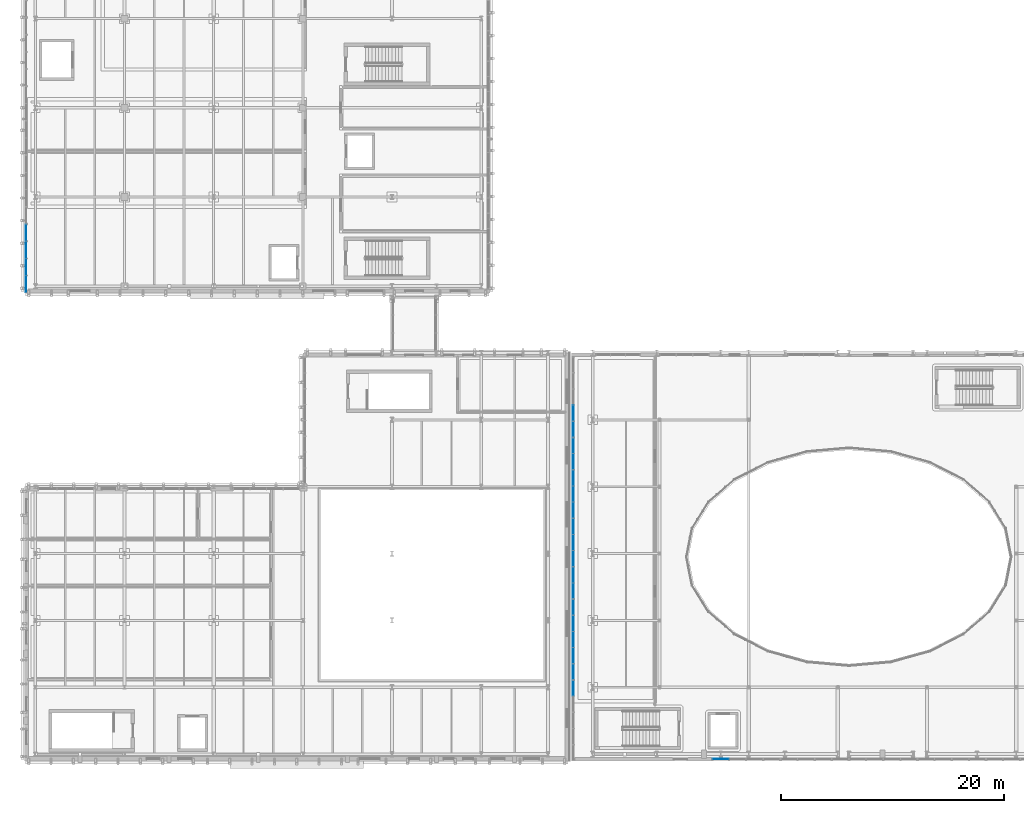
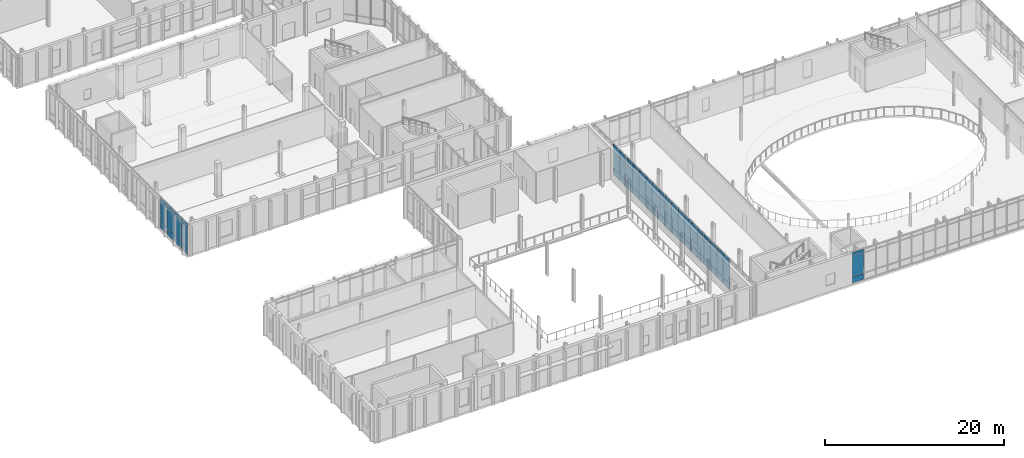
# One storey, part 50 of 100: 69 plates, 7 elements without a shape of their own.
"""IFC4 building model written with IfcOpenShell, lengths in metres."""

import ifcopenshell
import ifcopenshell.guid

model = None  # the IFC model being written
_history = None  # IfcOwnerHistory: only IFC2X3 demands one
_inside = {}  # id of a spatial element -> (the spatial element, [elements in it])
_under = {}  # id of a project, library or spatial element -> (it, [spatial elements below it])
_declared = {}  # id of a project -> (the project, [libraries it declares])
_typed = {}  # id of a type object -> (the type object, [elements of that type])
_made_of = {}  # id of a material, layer set ... -> (it, [elements and type objects made of it])


def new_model(schema):
    """Start an empty IFC model of exactly this schema.

    Asked for "IFC4X3", IfcOpenShell would pick the latest addendum, in which some entities
    have other attributes; the version numbers below select the first issue.
    IFC2X3 requires an IfcOwnerHistory on every rooted entity: one is made here for all.
    """
    global model, _history
    if schema == "IFC4X3":
        model = ifcopenshell.file(schema_version=(4, 3, 0, 0))
    else:
        model = ifcopenshell.file(schema=schema)
    _inside.clear()
    _under.clear()
    _declared.clear()
    _typed.clear()
    _made_of.clear()
    _history = None
    if model.schema == "IFC2X3":
        org = make("IfcOrganization", Name="unknown")
        user = make(
            "IfcPersonAndOrganization",
            ThePerson=make("IfcPerson", FamilyName="unknown"),
            TheOrganization=org,
        )
        app = make(
            "IfcApplication",
            ApplicationDeveloper=org,
            Version="unknown",
            ApplicationFullName="unknown",
            ApplicationIdentifier="unknown",
        )
        _history = make(
            "IfcOwnerHistory",
            OwningUser=user,
            OwningApplication=app,
            ChangeAction="ADDED",
            CreationDate=0,
        )
    return model


def make(cls, **values):
    """One entity of the class cls with the attributes given. An attribute that is None is left unset."""
    return model.create_entity(
        cls, **{name: value for name, value in values.items() if value is not None}
    )


def rooted(cls, **values):
    """An entity with a GlobalId (a new one), such as an element, a storey or a relation."""
    return make(cls, GlobalId=ifcopenshell.guid.new(), OwnerHistory=_history, **values)


def si_unit(unit_type, name, prefix=None):
    """IfcSIUnit, for example si_unit("LENGTHUNIT", "METRE", prefix="MILLI")."""
    return make("IfcSIUnit", UnitType=unit_type, Prefix=prefix, Name=name)


def assignment(units):
    """IfcUnitAssignment: the units of a project."""
    return None if units is None else make("IfcUnitAssignment", Units=units)


def point(xyz):
    """IfcCartesianPoint."""
    return None if xyz is None else make("IfcCartesianPoint", Coordinates=xyz)


def direction(xyz):
    """IfcDirection."""
    return None if xyz is None else make("IfcDirection", DirectionRatios=xyz)


def frame(location, z_axis=None, x_axis=None):
    """IfcAxis2Placement3D, a coordinate frame: its origin and axes. An axis left out is left unset."""
    return make(
        "IfcAxis2Placement3D",
        Location=point(location),
        Axis=direction(z_axis),
        RefDirection=direction(x_axis),
    )


def frame_2d(location, x_axis=None):
    """IfcAxis2Placement2D, a coordinate frame in the plane: its origin and x axis."""
    return make(
        "IfcAxis2Placement2D", Location=point(location), RefDirection=direction(x_axis)
    )


def origin():
    """The frame at (0, 0, 0) with its axes left unset."""
    return frame((0.0, 0.0, 0.0))


def origin_2d():
    """The frame at (0, 0) in the plane with its x axis left unset."""
    return frame_2d((0.0, 0.0))


def place(relative_to, where):
    """IfcLocalPlacement: puts the frame where relative to a parent placement (None: the world)."""
    return make(
        "IfcLocalPlacement", PlacementRelTo=relative_to, RelativePlacement=where
    )


def context(
    kind, dimensions, precision=None, world=None, true_north=None, identifier=None
):
    """IfcGeometricRepresentationContext, for example the 3D "Model" context."""
    return make(
        "IfcGeometricRepresentationContext",
        ContextIdentifier=identifier,
        ContextType=kind,
        CoordinateSpaceDimension=dimensions,
        Precision=precision,
        WorldCoordinateSystem=world,
        TrueNorth=true_north,
    )


def subcontext(parent, identifier, kind, view, scale=None):
    """IfcGeometricRepresentationSubContext, for example "Body" below "Model"."""
    return make(
        "IfcGeometricRepresentationSubContext",
        ContextIdentifier=identifier,
        ContextType=kind,
        ParentContext=parent,
        TargetScale=scale,
        TargetView=view,
    )


def project(units=None, contexts=None):
    """IfcProject with its units and contexts."""
    return rooted(
        "IfcProject",
        Name="project",
        RepresentationContexts=contexts,
        UnitsInContext=assignment(units),
    )


def spatial(cls, under=None, at=None, **own):
    """A site, building, storey or space (cls), placed at a placement, below another one or the project."""
    s = rooted(cls, ObjectPlacement=at, **own)
    if under is not None:
        _under.setdefault(under.id(), (under, []))[1].append(s)
    return s


def profile(cls, at=None, kind="AREA", **sizes):
    """A parametric profile (cls). Its sizes go by their IFC names, for example OverallWidth=200.0."""
    return make(cls, ProfileType=kind, Position=at, **sizes)


def rectangle(**sizes):
    """IfcRectangleProfileDef."""
    return profile("IfcRectangleProfileDef", **sizes)


def extrude(swept, where, along, depth):
    """IfcExtrudedAreaSolid: the profile swept, set in the frame where, extruded along a direction by depth."""
    return make(
        "IfcExtrudedAreaSolid",
        SweptArea=swept,
        Position=where,
        ExtrudedDirection=direction(along),
        Depth=depth,
    )


def shape(context_of_items, identifier, shape_type, items):
    """IfcShapeRepresentation: the items that make up one representation, for example the "Body"."""
    return make(
        "IfcShapeRepresentation",
        ContextOfItems=context_of_items,
        RepresentationIdentifier=identifier,
        RepresentationType=shape_type,
        Items=items,
    )


def material(Name=None, Category=None):
    """IfcMaterial."""
    return make("IfcMaterial", Name=Name, Category=Category)


def layer(
    of_material, thickness, ventilated=None, Name=None, Category=None, Priority=None
):
    """IfcMaterialLayer: one layer of a wall or slab, of a material (None: an air gap)."""
    return make(
        "IfcMaterialLayer",
        Material=of_material,
        LayerThickness=thickness,
        IsVentilated=ventilated,
        Name=Name,
        Category=Category,
        Priority=Priority,
    )


def layer_set(layers, Name=None):
    """IfcMaterialLayerSet."""
    return make("IfcMaterialLayerSet", MaterialLayers=layers, LayerSetName=Name)


def made_of(thing, what):
    """Note that an element or type object is made of a material, layer set ...; save() writes the relation."""
    if what is not None:
        _made_of.setdefault(what.id(), (what, []))[1].append(thing)
    return thing


def type_object(cls, material=None, **own):
    """A type object (cls), such as IfcWallType, which elements share."""
    return made_of(rooted(cls, **own), material)


def element(
    cls,
    number,
    at=None,
    inside=None,
    cuts=None,
    type_object=None,
    material=None,
    context=None,
    identifier="Body",
    shape_type=None,
    held_by="IfcProductDefinitionShape",
    body=None,
    shapes=None,
    **own,
):
    """One element of the class cls, such as IfcWall. Its Tag is "e" and its number.

    at: its placement. inside: the storey or other place that contains it. cuts: it is an
    opening in that element (IfcRelVoidsElement). A single representation is given by context,
    identifier, shape_type and body (its items); several are given by shapes. held_by: the class
    of the entity that holds the representations. save() writes the other relations.
    """
    e = rooted(cls, Tag="e%d" % number, ObjectPlacement=at, **own)
    if body is not None:
        shapes = [shape(context, identifier, shape_type, body)]
    if shapes is not None:
        e.Representation = make(held_by, Representations=shapes)
    if inside is not None:
        _inside.setdefault(inside.id(), (inside, []))[1].append(e)
    if cuts is not None:
        rooted(
            "IfcRelVoidsElement", RelatingBuildingElement=cuts, RelatedOpeningElement=e
        )
    if type_object is not None:
        _typed.setdefault(type_object.id(), (type_object, []))[1].append(e)
    return made_of(e, material)


def aggregate(whole, parts):
    """IfcRelAggregates: a whole, such as a stair, and the parts it consists of."""
    return rooted("IfcRelAggregates", RelatingObject=whole, RelatedObjects=parts)


def save(model, path):
    """Write the relations noted so far, then the file.

    IfcRelAggregates (storeys below a building ...), IfcRelContainedInSpatialStructure (elements
    in a storey), IfcRelDefinesByType, IfcRelAssociatesMaterial and IfcRelDeclares: one each for
    every whole, place, type object, material and project.
    """
    for whole, parts in _under.values():
        aggregate(whole, parts)
    for where, things in _inside.values():
        rooted(
            "IfcRelContainedInSpatialStructure",
            RelatedElements=things,
            RelatingStructure=where,
        )
    for kind, things in _typed.values():
        rooted("IfcRelDefinesByType", RelatedObjects=things, RelatingType=kind)
    for what, things in _made_of.values():
        rooted("IfcRelAssociatesMaterial", RelatedObjects=things, RelatingMaterial=what)
    for by, libraries in _declared.values():
        rooted("IfcRelDeclares", RelatingContext=by, RelatedDefinitions=libraries)
    model.write(path)


model = new_model("IFC4")

# Units and contexts
model_context = context("Model", 3, precision=1e-05, world=origin(), true_north=direction((0.0, 1.0)))
body_context = subcontext(model_context, "Body", "Model", "MODEL_VIEW")
ifc_project = project(units=[si_unit("LENGTHUNIT", "METRE"), si_unit("AREAUNIT", "SQUARE_METRE"), si_unit("VOLUMEUNIT", "CUBIC_METRE"), si_unit("PLANEANGLEUNIT", "RADIAN"), si_unit("MASSUNIT", "GRAM", prefix="KILO")], contexts=[model_context])

# Site, building, storey
site_placement = place(None, origin())
site = spatial("IfcSite", under=ifc_project, at=site_placement, CompositionType="ELEMENT")
building_placement = place(site_placement, origin())
building = spatial("IfcBuilding", under=site, at=building_placement, Name="Cymarion Research Institute", CompositionType="ELEMENT")
storey_placement = place(building_placement, frame((0.0, 0.0, 9.300048828125)))
storey = spatial("IfcBuildingStorey", under=building, at=storey_placement, Name="L02", CompositionType="ELEMENT", Elevation=9.300048828125)

# Curtain wall, plates
ifc_material_1 = material(Name="Anodised aluminium unitised curtain wall with Low-E glazing", Category="aluminium")
curtain_wall_type_1 = type_object("IfcCurtainWallType", Name="UNITISED CURTAIN WALL CW07 6150X4250", PredefinedType="NOTDEFINED", material=ifc_material_1)
curtain_wall_1_placement = place(storey_placement, origin())
curtain_wall_1 = element("IfcCurtainWall", 1, at=curtain_wall_1_placement, inside=storey, type_object=curtain_wall_type_1, Name="L02 V2 unitised curtain wall CW07 #72", PredefinedType="NOTDEFINED")
ifc_material_2 = material(Name="Insulated anodised aluminium spandrel panel", Category="aluminium")
ifc_layer_1 = layer(ifc_material_2, 0.06005859375)
ifc_layer_set_1 = layer_set([ifc_layer_1], Name="Insulated anodised aluminium spandrel panel")
plate_type_1 = type_object("IfcPlateType", Name="INSULATED ALUMINIUM SPANDREL PANEL SP01 60MM", PredefinedType="SHEET", material=ifc_layer_set_1)
plate_1_placement = place(storey_placement, frame((68.084716796875, 5.06005859375, 0.059814453125), z_axis=(0.0, 0.0, 1.0), x_axis=(1.0, 0.0, 0.0)))
plate_1 = element("IfcPlate", 2, at=plate_1_placement, type_object=plate_type_1, Name="CW07 panel 1.1", PredefinedType="SHEET", context=body_context, shape_type="SweptSolid", body=[
    extrude(rectangle(XDim=1.447265625, YDim=0.06005859375, at=origin_2d()), origin(), (0.0, 0.0, 1.0), 0.81005859375),
])
plate_2_placement = place(storey_placement, frame((68.084716796875, 5.06005859375, 3.72998046875), z_axis=(0.0, 0.0, 1.0), x_axis=(1.0, 0.0, 0.0)))
plate_2 = element("IfcPlate", 3, at=plate_2_placement, type_object=plate_type_1, Name="CW07 panel 1.3", PredefinedType="SHEET", context=body_context, shape_type="SweptSolid", body=[
    extrude(rectangle(XDim=1.447265625, YDim=0.06005859375, at=origin_2d()), origin(), (0.0, 0.0, 1.0), 0.4599609375),
])

curtain_wall_type_2 = type_object("IfcCurtainWallType", Name="UNITISED CURTAIN WALL CW14 7260X4250", PredefinedType="NOTDEFINED", material=ifc_material_1)
curtain_wall_2_placement = place(storey_placement, origin())
curtain_wall_2 = element("IfcCurtainWall", 4, at=curtain_wall_2_placement, inside=storey, type_object=curtain_wall_type_2, Name="L02 V2 unitised curtain wall CW14 #88", PredefinedType="NOTDEFINED")
plate_3_placement = place(storey_placement, frame((54.860107421875, 36.100830078125, 0.059814453125), z_axis=(0.0, 0.0, 1.0), x_axis=(0.0, -1.0, 0.0)))
plate_3 = element("IfcPlate", 5, at=plate_3_placement, type_object=plate_type_1, Name="CW14 panel 4.1", PredefinedType="SHEET", context=body_context, shape_type="SweptSolid", body=[
    extrude(rectangle(XDim=1.39111328125, YDim=0.06005859375, at=origin_2d()), origin(), (0.0, 0.0, 1.0), 0.81005859375),
])
plate_4_placement = place(storey_placement, frame((54.860107421875, 36.100830078125, 3.72998046875), z_axis=(0.0, 0.0, 1.0), x_axis=(0.0, -1.0, 0.0)))
plate_4 = element("IfcPlate", 6, at=plate_4_placement, type_object=plate_type_1, Name="CW14 panel 4.3", PredefinedType="SHEET", context=body_context, shape_type="SweptSolid", body=[
    extrude(rectangle(XDim=1.39111328125, YDim=0.06005859375, at=origin_2d()), origin(), (0.0, 0.0, 1.0), 0.4599609375),
])
plate_5_placement = place(storey_placement, frame((54.860107421875, 34.66455078125, 0.059814453125), z_axis=(0.0, 0.0, 1.0), x_axis=(0.0, -1.0, 0.0)))
plate_5 = element("IfcPlate", 7, at=plate_5_placement, type_object=plate_type_1, Name="CW14 panel 5.1", PredefinedType="SHEET", context=body_context, shape_type="SweptSolid", body=[
    extrude(rectangle(XDim=1.361083984375, YDim=0.06005859375, at=origin_2d()), origin(), (0.0, 0.0, 1.0), 0.81005859375),
])
plate_6_placement = place(storey_placement, frame((54.860107421875, 34.66455078125, 3.72998046875), z_axis=(0.0, 0.0, 1.0), x_axis=(0.0, -1.0, 0.0)))
plate_6 = element("IfcPlate", 8, at=plate_6_placement, type_object=plate_type_1, Name="CW14 panel 5.3", PredefinedType="SHEET", context=body_context, shape_type="SweptSolid", body=[
    extrude(rectangle(XDim=1.361083984375, YDim=0.06005859375, at=origin_2d()), origin(), (0.0, 0.0, 1.0), 0.4599609375),
])

curtain_wall_3_placement = place(storey_placement, origin())
curtain_wall_3 = element("IfcCurtainWall", 9, at=curtain_wall_3_placement, inside=storey, type_object=curtain_wall_type_2, Name="L02 V2 unitised curtain wall CW14 #89", PredefinedType="NOTDEFINED")
plate_7_placement = place(storey_placement, frame((54.860107421875, 33.183349609375, 0.059814453125), z_axis=(0.0, 0.0, 1.0), x_axis=(0.0, -1.0, 0.0)))
plate_7 = element("IfcPlate", 10, at=plate_7_placement, type_object=plate_type_1, Name="CW14 panel 1.1", PredefinedType="SHEET", context=body_context, shape_type="SweptSolid", body=[
    extrude(rectangle(XDim=1.361083984375, YDim=0.06005859375, at=origin_2d()), origin(), (0.0, 0.0, 1.0), 0.81005859375),
])
plate_8_placement = place(storey_placement, frame((54.860107421875, 33.183349609375, 3.72998046875), z_axis=(0.0, 0.0, 1.0), x_axis=(0.0, -1.0, 0.0)))
plate_8 = element("IfcPlate", 11, at=plate_8_placement, type_object=plate_type_1, Name="CW14 panel 1.3", PredefinedType="SHEET", context=body_context, shape_type="SweptSolid", body=[
    extrude(rectangle(XDim=1.361083984375, YDim=0.06005859375, at=origin_2d()), origin(), (0.0, 0.0, 1.0), 0.4599609375),
])
plate_9_placement = place(storey_placement, frame((54.860107421875, 31.747314453125, 0.059814453125), z_axis=(0.0, 0.0, 1.0), x_axis=(0.0, -1.0, 0.0)))
plate_9 = element("IfcPlate", 12, at=plate_9_placement, type_object=plate_type_1, Name="CW14 panel 2.1", PredefinedType="SHEET", context=body_context, shape_type="SweptSolid", body=[
    extrude(rectangle(XDim=1.39111328125, YDim=0.06005859375, at=origin_2d()), origin(), (0.0, 0.0, 1.0), 0.81005859375),
])
plate_10_placement = place(storey_placement, frame((54.860107421875, 31.747314453125, 3.72998046875), z_axis=(0.0, 0.0, 1.0), x_axis=(0.0, -1.0, 0.0)))
plate_10 = element("IfcPlate", 13, at=plate_10_placement, type_object=plate_type_1, Name="CW14 panel 2.3", PredefinedType="SHEET", context=body_context, shape_type="SweptSolid", body=[
    extrude(rectangle(XDim=1.39111328125, YDim=0.06005859375, at=origin_2d()), origin(), (0.0, 0.0, 1.0), 0.4599609375),
])
plate_11_placement = place(storey_placement, frame((54.860107421875, 30.2958984375, 0.059814453125), z_axis=(0.0, 0.0, 1.0), x_axis=(0.0, -1.0, 0.0)))
plate_11 = element("IfcPlate", 14, at=plate_11_placement, type_object=plate_type_1, Name="CW14 panel 3.1", PredefinedType="SHEET", context=body_context, shape_type="SweptSolid", body=[
    extrude(rectangle(XDim=1.39111328125, YDim=0.06005859375, at=origin_2d()), origin(), (0.0, 0.0, 1.0), 0.81005859375),
])
plate_12_placement = place(storey_placement, frame((54.860107421875, 30.2958984375, 3.72998046875), z_axis=(0.0, 0.0, 1.0), x_axis=(0.0, -1.0, 0.0)))
plate_12 = element("IfcPlate", 15, at=plate_12_placement, type_object=plate_type_1, Name="CW14 panel 3.3", PredefinedType="SHEET", context=body_context, shape_type="SweptSolid", body=[
    extrude(rectangle(XDim=1.39111328125, YDim=0.06005859375, at=origin_2d()), origin(), (0.0, 0.0, 1.0), 0.4599609375),
])
plate_13_placement = place(storey_placement, frame((54.860107421875, 28.8447265625, 0.059814453125), z_axis=(0.0, 0.0, 1.0), x_axis=(0.0, -1.0, 0.0)))
plate_13 = element("IfcPlate", 16, at=plate_13_placement, type_object=plate_type_1, Name="CW14 panel 4.1", PredefinedType="SHEET", context=body_context, shape_type="SweptSolid", body=[
    extrude(rectangle(XDim=1.39111328125, YDim=0.06005859375, at=origin_2d()), origin(), (0.0, 0.0, 1.0), 0.81005859375),
])
plate_14_placement = place(storey_placement, frame((54.860107421875, 28.8447265625, 3.72998046875), z_axis=(0.0, 0.0, 1.0), x_axis=(0.0, -1.0, 0.0)))
plate_14 = element("IfcPlate", 17, at=plate_14_placement, type_object=plate_type_1, Name="CW14 panel 4.3", PredefinedType="SHEET", context=body_context, shape_type="SweptSolid", body=[
    extrude(rectangle(XDim=1.39111328125, YDim=0.06005859375, at=origin_2d()), origin(), (0.0, 0.0, 1.0), 0.4599609375),
])
plate_15_placement = place(storey_placement, frame((54.860107421875, 27.40869140625, 0.059814453125), z_axis=(0.0, 0.0, 1.0), x_axis=(0.0, -1.0, 0.0)))
plate_15 = element("IfcPlate", 18, at=plate_15_placement, type_object=plate_type_1, Name="CW14 panel 5.1", PredefinedType="SHEET", context=body_context, shape_type="SweptSolid", body=[
    extrude(rectangle(XDim=1.361083984375, YDim=0.06005859375, at=origin_2d()), origin(), (0.0, 0.0, 1.0), 0.81005859375),
])
plate_16_placement = place(storey_placement, frame((54.860107421875, 27.40869140625, 3.72998046875), z_axis=(0.0, 0.0, 1.0), x_axis=(0.0, -1.0, 0.0)))
plate_16 = element("IfcPlate", 19, at=plate_16_placement, type_object=plate_type_1, Name="CW14 panel 5.3", PredefinedType="SHEET", context=body_context, shape_type="SweptSolid", body=[
    extrude(rectangle(XDim=1.361083984375, YDim=0.06005859375, at=origin_2d()), origin(), (0.0, 0.0, 1.0), 0.4599609375),
])

curtain_wall_4_placement = place(storey_placement, origin())
curtain_wall_4 = element("IfcCurtainWall", 20, at=curtain_wall_4_placement, inside=storey, type_object=curtain_wall_type_2, Name="L02 V2 unitised curtain wall CW14 #90", PredefinedType="NOTDEFINED")
plate_17_placement = place(storey_placement, frame((54.860107421875, 25.927490234375, 0.059814453125), z_axis=(0.0, 0.0, 1.0), x_axis=(0.0, -1.0, 0.0)))
plate_17 = element("IfcPlate", 21, at=plate_17_placement, type_object=plate_type_1, Name="CW14 panel 1.1", PredefinedType="SHEET", context=body_context, shape_type="SweptSolid", body=[
    extrude(rectangle(XDim=1.361083984375, YDim=0.06005859375, at=origin_2d()), origin(), (0.0, 0.0, 1.0), 0.81005859375),
])
plate_18_placement = place(storey_placement, frame((54.860107421875, 25.927490234375, 3.72998046875), z_axis=(0.0, 0.0, 1.0), x_axis=(0.0, -1.0, 0.0)))
plate_18 = element("IfcPlate", 22, at=plate_18_placement, type_object=plate_type_1, Name="CW14 panel 1.3", PredefinedType="SHEET", context=body_context, shape_type="SweptSolid", body=[
    extrude(rectangle(XDim=1.361083984375, YDim=0.06005859375, at=origin_2d()), origin(), (0.0, 0.0, 1.0), 0.4599609375),
])
plate_19_placement = place(storey_placement, frame((54.860107421875, 24.4912109375, 0.059814453125), z_axis=(0.0, 0.0, 1.0), x_axis=(0.0, -1.0, 0.0)))
plate_19 = element("IfcPlate", 23, at=plate_19_placement, type_object=plate_type_1, Name="CW14 panel 2.1", PredefinedType="SHEET", context=body_context, shape_type="SweptSolid", body=[
    extrude(rectangle(XDim=1.39111328125, YDim=0.06005859375, at=origin_2d()), origin(), (0.0, 0.0, 1.0), 0.81005859375),
])
plate_20_placement = place(storey_placement, frame((54.860107421875, 24.4912109375, 3.72998046875), z_axis=(0.0, 0.0, 1.0), x_axis=(0.0, -1.0, 0.0)))
plate_20 = element("IfcPlate", 24, at=plate_20_placement, type_object=plate_type_1, Name="CW14 panel 2.3", PredefinedType="SHEET", context=body_context, shape_type="SweptSolid", body=[
    extrude(rectangle(XDim=1.39111328125, YDim=0.06005859375, at=origin_2d()), origin(), (0.0, 0.0, 1.0), 0.4599609375),
])
plate_21_placement = place(storey_placement, frame((54.860107421875, 23.0400390625, 0.059814453125), z_axis=(0.0, 0.0, 1.0), x_axis=(0.0, -1.0, 0.0)))
plate_21 = element("IfcPlate", 25, at=plate_21_placement, type_object=plate_type_1, Name="CW14 panel 3.1", PredefinedType="SHEET", context=body_context, shape_type="SweptSolid", body=[
    extrude(rectangle(XDim=1.39111328125, YDim=0.06005859375, at=origin_2d()), origin(), (0.0, 0.0, 1.0), 0.81005859375),
])
plate_22_placement = place(storey_placement, frame((54.860107421875, 23.0400390625, 3.72998046875), z_axis=(0.0, 0.0, 1.0), x_axis=(0.0, -1.0, 0.0)))
plate_22 = element("IfcPlate", 26, at=plate_22_placement, type_object=plate_type_1, Name="CW14 panel 3.3", PredefinedType="SHEET", context=body_context, shape_type="SweptSolid", body=[
    extrude(rectangle(XDim=1.39111328125, YDim=0.06005859375, at=origin_2d()), origin(), (0.0, 0.0, 1.0), 0.4599609375),
])
plate_23_placement = place(storey_placement, frame((54.860107421875, 21.5888671875, 0.059814453125), z_axis=(0.0, 0.0, 1.0), x_axis=(0.0, -1.0, 0.0)))
plate_23 = element("IfcPlate", 27, at=plate_23_placement, type_object=plate_type_1, Name="CW14 panel 4.1", PredefinedType="SHEET", context=body_context, shape_type="SweptSolid", body=[
    extrude(rectangle(XDim=1.39111328125, YDim=0.06005859375, at=origin_2d()), origin(), (0.0, 0.0, 1.0), 0.81005859375),
])
plate_24_placement = place(storey_placement, frame((54.860107421875, 21.5888671875, 3.72998046875), z_axis=(0.0, 0.0, 1.0), x_axis=(0.0, -1.0, 0.0)))
plate_24 = element("IfcPlate", 28, at=plate_24_placement, type_object=plate_type_1, Name="CW14 panel 4.3", PredefinedType="SHEET", context=body_context, shape_type="SweptSolid", body=[
    extrude(rectangle(XDim=1.39111328125, YDim=0.06005859375, at=origin_2d()), origin(), (0.0, 0.0, 1.0), 0.4599609375),
])
plate_25_placement = place(storey_placement, frame((54.860107421875, 20.152587890625, 0.059814453125), z_axis=(0.0, 0.0, 1.0), x_axis=(0.0, -1.0, 0.0)))
plate_25 = element("IfcPlate", 29, at=plate_25_placement, type_object=plate_type_1, Name="CW14 panel 5.1", PredefinedType="SHEET", context=body_context, shape_type="SweptSolid", body=[
    extrude(rectangle(XDim=1.361083984375, YDim=0.06005859375, at=origin_2d()), origin(), (0.0, 0.0, 1.0), 0.81005859375),
])
plate_26_placement = place(storey_placement, frame((54.860107421875, 20.152587890625, 3.72998046875), z_axis=(0.0, 0.0, 1.0), x_axis=(0.0, -1.0, 0.0)))
plate_26 = element("IfcPlate", 30, at=plate_26_placement, type_object=plate_type_1, Name="CW14 panel 5.3", PredefinedType="SHEET", context=body_context, shape_type="SweptSolid", body=[
    extrude(rectangle(XDim=1.361083984375, YDim=0.06005859375, at=origin_2d()), origin(), (0.0, 0.0, 1.0), 0.4599609375),
])

curtain_wall_5_placement = place(storey_placement, origin())
curtain_wall_5 = element("IfcCurtainWall", 31, at=curtain_wall_5_placement, inside=storey, type_object=curtain_wall_type_2, Name="L02 V2 unitised curtain wall CW14 #91", PredefinedType="NOTDEFINED")
plate_27_placement = place(storey_placement, frame((54.860107421875, 18.67138671875, 0.059814453125), z_axis=(0.0, 0.0, 1.0), x_axis=(0.0, -1.0, 0.0)))
plate_27 = element("IfcPlate", 32, at=plate_27_placement, type_object=plate_type_1, Name="CW14 panel 1.1", PredefinedType="SHEET", context=body_context, shape_type="SweptSolid", body=[
    extrude(rectangle(XDim=1.361083984375, YDim=0.06005859375, at=origin_2d()), origin(), (0.0, 0.0, 1.0), 0.81005859375),
])
plate_28_placement = place(storey_placement, frame((54.860107421875, 18.67138671875, 3.72998046875), z_axis=(0.0, 0.0, 1.0), x_axis=(0.0, -1.0, 0.0)))
plate_28 = element("IfcPlate", 33, at=plate_28_placement, type_object=plate_type_1, Name="CW14 panel 1.3", PredefinedType="SHEET", context=body_context, shape_type="SweptSolid", body=[
    extrude(rectangle(XDim=1.361083984375, YDim=0.06005859375, at=origin_2d()), origin(), (0.0, 0.0, 1.0), 0.4599609375),
])
plate_29_placement = place(storey_placement, frame((54.860107421875, 17.235107421875, 0.059814453125), z_axis=(0.0, 0.0, 1.0), x_axis=(0.0, -1.0, 0.0)))
plate_29 = element("IfcPlate", 34, at=plate_29_placement, type_object=plate_type_1, Name="CW14 panel 2.1", PredefinedType="SHEET", context=body_context, shape_type="SweptSolid", body=[
    extrude(rectangle(XDim=1.39111328125, YDim=0.06005859375, at=origin_2d()), origin(), (0.0, 0.0, 1.0), 0.81005859375),
])
plate_30_placement = place(storey_placement, frame((54.860107421875, 17.235107421875, 3.72998046875), z_axis=(0.0, 0.0, 1.0), x_axis=(0.0, -1.0, 0.0)))
plate_30 = element("IfcPlate", 35, at=plate_30_placement, type_object=plate_type_1, Name="CW14 panel 2.3", PredefinedType="SHEET", context=body_context, shape_type="SweptSolid", body=[
    extrude(rectangle(XDim=1.39111328125, YDim=0.06005859375, at=origin_2d()), origin(), (0.0, 0.0, 1.0), 0.4599609375),
])
plate_31_placement = place(storey_placement, frame((54.860107421875, 15.783935546875, 0.059814453125), z_axis=(0.0, 0.0, 1.0), x_axis=(0.0, -1.0, 0.0)))
plate_31 = element("IfcPlate", 36, at=plate_31_placement, type_object=plate_type_1, Name="CW14 panel 3.1", PredefinedType="SHEET", context=body_context, shape_type="SweptSolid", body=[
    extrude(rectangle(XDim=1.39111328125, YDim=0.06005859375, at=origin_2d()), origin(), (0.0, 0.0, 1.0), 0.81005859375),
])
plate_32_placement = place(storey_placement, frame((54.860107421875, 15.783935546875, 3.72998046875), z_axis=(0.0, 0.0, 1.0), x_axis=(0.0, -1.0, 0.0)))
plate_32 = element("IfcPlate", 37, at=plate_32_placement, type_object=plate_type_1, Name="CW14 panel 3.3", PredefinedType="SHEET", context=body_context, shape_type="SweptSolid", body=[
    extrude(rectangle(XDim=1.39111328125, YDim=0.06005859375, at=origin_2d()), origin(), (0.0, 0.0, 1.0), 0.4599609375),
])
plate_33_placement = place(storey_placement, frame((54.860107421875, 14.332763671875, 0.059814453125), z_axis=(0.0, 0.0, 1.0), x_axis=(0.0, -1.0, 0.0)))
plate_33 = element("IfcPlate", 38, at=plate_33_placement, type_object=plate_type_1, Name="CW14 panel 4.1", PredefinedType="SHEET", context=body_context, shape_type="SweptSolid", body=[
    extrude(rectangle(XDim=1.39111328125, YDim=0.06005859375, at=origin_2d()), origin(), (0.0, 0.0, 1.0), 0.81005859375),
])
plate_34_placement = place(storey_placement, frame((54.860107421875, 14.332763671875, 3.72998046875), z_axis=(0.0, 0.0, 1.0), x_axis=(0.0, -1.0, 0.0)))
plate_34 = element("IfcPlate", 39, at=plate_34_placement, type_object=plate_type_1, Name="CW14 panel 4.3", PredefinedType="SHEET", context=body_context, shape_type="SweptSolid", body=[
    extrude(rectangle(XDim=1.39111328125, YDim=0.06005859375, at=origin_2d()), origin(), (0.0, 0.0, 1.0), 0.4599609375),
])
plate_35_placement = place(storey_placement, frame((54.860107421875, 12.896484375, 0.059814453125), z_axis=(0.0, 0.0, 1.0), x_axis=(0.0, -1.0, 0.0)))
plate_35 = element("IfcPlate", 40, at=plate_35_placement, type_object=plate_type_1, Name="CW14 panel 5.1", PredefinedType="SHEET", context=body_context, shape_type="SweptSolid", body=[
    extrude(rectangle(XDim=1.361083984375, YDim=0.06005859375, at=origin_2d()), origin(), (0.0, 0.0, 1.0), 0.81005859375),
])
plate_36_placement = place(storey_placement, frame((54.860107421875, 12.896484375, 3.72998046875), z_axis=(0.0, 0.0, 1.0), x_axis=(0.0, -1.0, 0.0)))
plate_36 = element("IfcPlate", 41, at=plate_36_placement, type_object=plate_type_1, Name="CW14 panel 5.3", PredefinedType="SHEET", context=body_context, shape_type="SweptSolid", body=[
    extrude(rectangle(XDim=1.361083984375, YDim=0.06005859375, at=origin_2d()), origin(), (0.0, 0.0, 1.0), 0.4599609375),
])

curtain_wall_6_placement = place(storey_placement, origin())
curtain_wall_6 = element("IfcCurtainWall", 42, at=curtain_wall_6_placement, inside=storey, type_object=curtain_wall_type_2, Name="L02 V2 unitised curtain wall CW14 #92", PredefinedType="NOTDEFINED")
plate_37_placement = place(storey_placement, frame((54.860107421875, 11.415283203125, 0.059814453125), z_axis=(0.0, 0.0, 1.0), x_axis=(0.0, -1.0, 0.0)))
plate_37 = element("IfcPlate", 43, at=plate_37_placement, type_object=plate_type_1, Name="CW14 panel 1.1", PredefinedType="SHEET", context=body_context, shape_type="SweptSolid", body=[
    extrude(rectangle(XDim=1.361083984375, YDim=0.06005859375, at=origin_2d()), origin(), (0.0, 0.0, 1.0), 0.81005859375),
])
plate_38_placement = place(storey_placement, frame((54.860107421875, 11.415283203125, 3.72998046875), z_axis=(0.0, 0.0, 1.0), x_axis=(0.0, -1.0, 0.0)))
plate_38 = element("IfcPlate", 44, at=plate_38_placement, type_object=plate_type_1, Name="CW14 panel 1.3", PredefinedType="SHEET", context=body_context, shape_type="SweptSolid", body=[
    extrude(rectangle(XDim=1.361083984375, YDim=0.06005859375, at=origin_2d()), origin(), (0.0, 0.0, 1.0), 0.4599609375),
])

curtain_wall_type_3 = type_object("IfcCurtainWallType", Name="UNITISED CURTAIN WALL CW22 6180X4250", PredefinedType="NOTDEFINED", material=ifc_material_1)
curtain_wall_7_placement = place(storey_placement, origin())
curtain_wall_7 = element("IfcCurtainWall", 45, at=curtain_wall_7_placement, inside=storey, type_object=curtain_wall_type_3, Name="L02 V4 unitised curtain wall CW22 #107", PredefinedType="NOTDEFINED")
plate_39_placement = place(storey_placement, frame((5.77001953125, 52.28857421875, 0.059814453125), z_axis=(0.0, 0.0, 1.0), x_axis=(0.0, -1.0, 0.0)))
plate_39 = element("IfcPlate", 46, at=plate_39_placement, type_object=plate_type_1, Name="CW22 panel 1.1", PredefinedType="SHEET", context=body_context, shape_type="SweptSolid", body=[
    extrude(rectangle(XDim=1.453857421875, YDim=0.06005859375, at=origin_2d()), origin(), (0.0, 0.0, 1.0), 0.81005859375),
])
plate_40_placement = place(storey_placement, frame((5.77001953125, 52.28857421875, 3.72998046875), z_axis=(0.0, 0.0, 1.0), x_axis=(0.0, -1.0, 0.0)))
plate_40 = element("IfcPlate", 47, at=plate_40_placement, type_object=plate_type_1, Name="CW22 panel 1.3", PredefinedType="SHEET", context=body_context, shape_type="SweptSolid", body=[
    extrude(rectangle(XDim=1.453857421875, YDim=0.06005859375, at=origin_2d()), origin(), (0.0, 0.0, 1.0), 0.4599609375),
])
plate_41_placement = place(storey_placement, frame((5.77001953125, 50.759765625, 0.059814453125), z_axis=(0.0, 0.0, 1.0), x_axis=(0.0, -1.0, 0.0)))
plate_41 = element("IfcPlate", 48, at=plate_41_placement, type_object=plate_type_1, Name="CW22 panel 2.1", PredefinedType="SHEET", context=body_context, shape_type="SweptSolid", body=[
    extrude(rectangle(XDim=1.48388671875, YDim=0.06005859375, at=origin_2d()), origin(), (0.0, 0.0, 1.0), 0.81005859375),
])
plate_42_placement = place(storey_placement, frame((5.77001953125, 50.759765625, 3.72998046875), z_axis=(0.0, 0.0, 1.0), x_axis=(0.0, -1.0, 0.0)))
plate_42 = element("IfcPlate", 49, at=plate_42_placement, type_object=plate_type_1, Name="CW22 panel 2.3", PredefinedType="SHEET", context=body_context, shape_type="SweptSolid", body=[
    extrude(rectangle(XDim=1.48388671875, YDim=0.06005859375, at=origin_2d()), origin(), (0.0, 0.0, 1.0), 0.4599609375),
])
plate_43_placement = place(storey_placement, frame((5.77001953125, 49.2158203125, 0.059814453125), z_axis=(0.0, 0.0, 1.0), x_axis=(0.0, -1.0, 0.0)))
plate_43 = element("IfcPlate", 50, at=plate_43_placement, type_object=plate_type_1, Name="CW22 panel 3.1", PredefinedType="SHEET", context=body_context, shape_type="SweptSolid", body=[
    extrude(rectangle(XDim=1.48388671875, YDim=0.06005859375, at=origin_2d()), origin(), (0.0, 0.0, 1.0), 0.81005859375),
])
plate_44_placement = place(storey_placement, frame((5.77001953125, 49.2158203125, 3.72998046875), z_axis=(0.0, 0.0, 1.0), x_axis=(0.0, -1.0, 0.0)))
plate_44 = element("IfcPlate", 51, at=plate_44_placement, type_object=plate_type_1, Name="CW22 panel 3.3", PredefinedType="SHEET", context=body_context, shape_type="SweptSolid", body=[
    extrude(rectangle(XDim=1.48388671875, YDim=0.06005859375, at=origin_2d()), origin(), (0.0, 0.0, 1.0), 0.4599609375),
])
plate_45_placement = place(storey_placement, frame((5.77001953125, 47.68701171875, 0.059814453125), z_axis=(0.0, 0.0, 1.0), x_axis=(0.0, -1.0, 0.0)))
plate_45 = element("IfcPlate", 52, at=plate_45_placement, type_object=plate_type_1, Name="CW22 panel 4.1", PredefinedType="SHEET", context=body_context, shape_type="SweptSolid", body=[
    extrude(rectangle(XDim=1.453857421875, YDim=0.06005859375, at=origin_2d()), origin(), (0.0, 0.0, 1.0), 0.81005859375),
])
plate_46_placement = place(storey_placement, frame((5.77001953125, 47.68701171875, 3.72998046875), z_axis=(0.0, 0.0, 1.0), x_axis=(0.0, -1.0, 0.0)))
plate_46 = element("IfcPlate", 53, at=plate_46_placement, type_object=plate_type_1, Name="CW22 panel 4.3", PredefinedType="SHEET", context=body_context, shape_type="SweptSolid", body=[
    extrude(rectangle(XDim=1.453857421875, YDim=0.06005859375, at=origin_2d()), origin(), (0.0, 0.0, 1.0), 0.4599609375),
])

# Plate
ifc_material_3 = material(Name="Low-E double solar-control glazing", Category="glass")
ifc_layer_2 = layer(ifc_material_3, 0.035888671875)
ifc_layer_set_2 = layer_set([ifc_layer_2], Name="Low-E double solar-control glazing")
plate_type_2 = type_object("IfcPlateType", Name="SOLAR CONTROL GLAZED VISION PANEL GP01 36MM", PredefinedType="CURTAIN_PANEL", material=ifc_layer_set_2)
plate_47_placement = place(storey_placement, frame((68.084716796875, 5.06005859375, 0.93017578125), z_axis=(0.0, 0.0, 1.0), x_axis=(1.0, 0.0, 0.0)))
plate_47 = element("IfcPlate", 54, at=plate_47_placement, type_object=plate_type_2, Name="CW07 panel 1.2", PredefinedType="CURTAIN_PANEL", context=body_context, shape_type="SweptSolid", body=[
    extrude(rectangle(XDim=1.447265625, YDim=0.035888671875, at=origin_2d()), origin(), (0.0, 0.0, 1.0), 2.739990234375),
])

aggregate(curtain_wall_1, [plate_1, plate_47, plate_2])

plate_48_placement = place(storey_placement, frame((54.860107421875, 36.100830078125, 0.93017578125), z_axis=(0.0, 0.0, 1.0), x_axis=(0.0, -1.0, 0.0)))
plate_48 = element("IfcPlate", 55, at=plate_48_placement, type_object=plate_type_2, Name="CW14 panel 4.2", PredefinedType="CURTAIN_PANEL", context=body_context, shape_type="SweptSolid", body=[
    extrude(rectangle(XDim=1.39111328125, YDim=0.035888671875, at=origin_2d()), origin(), (0.0, 0.0, 1.0), 2.739990234375),
])

plate_49_placement = place(storey_placement, frame((54.860107421875, 34.66455078125, 0.93017578125), z_axis=(0.0, 0.0, 1.0), x_axis=(0.0, -1.0, 0.0)))
plate_49 = element("IfcPlate", 56, at=plate_49_placement, type_object=plate_type_2, Name="CW14 panel 5.2", PredefinedType="CURTAIN_PANEL", context=body_context, shape_type="SweptSolid", body=[
    extrude(rectangle(XDim=1.361083984375, YDim=0.035888671875, at=origin_2d()), origin(), (0.0, 0.0, 1.0), 2.739990234375),
])

aggregate(curtain_wall_2, [plate_3, plate_48, plate_4, plate_5, plate_49, plate_6])

plate_50_placement = place(storey_placement, frame((54.860107421875, 33.183349609375, 0.93017578125), z_axis=(0.0, 0.0, 1.0), x_axis=(0.0, -1.0, 0.0)))
plate_50 = element("IfcPlate", 57, at=plate_50_placement, type_object=plate_type_2, Name="CW14 panel 1.2", PredefinedType="CURTAIN_PANEL", context=body_context, shape_type="SweptSolid", body=[
    extrude(rectangle(XDim=1.361083984375, YDim=0.035888671875, at=origin_2d()), origin(), (0.0, 0.0, 1.0), 2.739990234375),
])

plate_51_placement = place(storey_placement, frame((54.860107421875, 31.747314453125, 0.93017578125), z_axis=(0.0, 0.0, 1.0), x_axis=(0.0, -1.0, 0.0)))
plate_51 = element("IfcPlate", 58, at=plate_51_placement, type_object=plate_type_2, Name="CW14 panel 2.2", PredefinedType="CURTAIN_PANEL", context=body_context, shape_type="SweptSolid", body=[
    extrude(rectangle(XDim=1.39111328125, YDim=0.035888671875, at=origin_2d()), origin(), (0.0, 0.0, 1.0), 2.739990234375),
])

plate_52_placement = place(storey_placement, frame((54.860107421875, 30.2958984375, 0.93017578125), z_axis=(0.0, 0.0, 1.0), x_axis=(0.0, -1.0, 0.0)))
plate_52 = element("IfcPlate", 59, at=plate_52_placement, type_object=plate_type_2, Name="CW14 panel 3.2", PredefinedType="CURTAIN_PANEL", context=body_context, shape_type="SweptSolid", body=[
    extrude(rectangle(XDim=1.39111328125, YDim=0.035888671875, at=origin_2d()), origin(), (0.0, 0.0, 1.0), 2.739990234375),
])

plate_53_placement = place(storey_placement, frame((54.860107421875, 28.8447265625, 0.93017578125), z_axis=(0.0, 0.0, 1.0), x_axis=(0.0, -1.0, 0.0)))
plate_53 = element("IfcPlate", 60, at=plate_53_placement, type_object=plate_type_2, Name="CW14 panel 4.2", PredefinedType="CURTAIN_PANEL", context=body_context, shape_type="SweptSolid", body=[
    extrude(rectangle(XDim=1.39111328125, YDim=0.035888671875, at=origin_2d()), origin(), (0.0, 0.0, 1.0), 2.739990234375),
])

plate_54_placement = place(storey_placement, frame((54.860107421875, 27.40869140625, 0.93017578125), z_axis=(0.0, 0.0, 1.0), x_axis=(0.0, -1.0, 0.0)))
plate_54 = element("IfcPlate", 61, at=plate_54_placement, type_object=plate_type_2, Name="CW14 panel 5.2", PredefinedType="CURTAIN_PANEL", context=body_context, shape_type="SweptSolid", body=[
    extrude(rectangle(XDim=1.361083984375, YDim=0.035888671875, at=origin_2d()), origin(), (0.0, 0.0, 1.0), 2.739990234375),
])

aggregate(curtain_wall_3, [plate_7, plate_50, plate_8, plate_9, plate_51, plate_10, plate_11, plate_52, plate_12, plate_13, plate_53, plate_14, plate_15, plate_54, plate_16])

plate_55_placement = place(storey_placement, frame((54.860107421875, 25.927490234375, 0.93017578125), z_axis=(0.0, 0.0, 1.0), x_axis=(0.0, -1.0, 0.0)))
plate_55 = element("IfcPlate", 62, at=plate_55_placement, type_object=plate_type_2, Name="CW14 panel 1.2", PredefinedType="CURTAIN_PANEL", context=body_context, shape_type="SweptSolid", body=[
    extrude(rectangle(XDim=1.361083984375, YDim=0.035888671875, at=origin_2d()), origin(), (0.0, 0.0, 1.0), 2.739990234375),
])

plate_56_placement = place(storey_placement, frame((54.860107421875, 24.4912109375, 0.93017578125), z_axis=(0.0, 0.0, 1.0), x_axis=(0.0, -1.0, 0.0)))
plate_56 = element("IfcPlate", 63, at=plate_56_placement, type_object=plate_type_2, Name="CW14 panel 2.2", PredefinedType="CURTAIN_PANEL", context=body_context, shape_type="SweptSolid", body=[
    extrude(rectangle(XDim=1.39111328125, YDim=0.035888671875, at=origin_2d()), origin(), (0.0, 0.0, 1.0), 2.739990234375),
])

plate_57_placement = place(storey_placement, frame((54.860107421875, 23.0400390625, 0.93017578125), z_axis=(0.0, 0.0, 1.0), x_axis=(0.0, -1.0, 0.0)))
plate_57 = element("IfcPlate", 64, at=plate_57_placement, type_object=plate_type_2, Name="CW14 panel 3.2", PredefinedType="CURTAIN_PANEL", context=body_context, shape_type="SweptSolid", body=[
    extrude(rectangle(XDim=1.39111328125, YDim=0.035888671875, at=origin_2d()), origin(), (0.0, 0.0, 1.0), 2.739990234375),
])

plate_58_placement = place(storey_placement, frame((54.860107421875, 21.5888671875, 0.93017578125), z_axis=(0.0, 0.0, 1.0), x_axis=(0.0, -1.0, 0.0)))
plate_58 = element("IfcPlate", 65, at=plate_58_placement, type_object=plate_type_2, Name="CW14 panel 4.2", PredefinedType="CURTAIN_PANEL", context=body_context, shape_type="SweptSolid", body=[
    extrude(rectangle(XDim=1.39111328125, YDim=0.035888671875, at=origin_2d()), origin(), (0.0, 0.0, 1.0), 2.739990234375),
])

plate_59_placement = place(storey_placement, frame((54.860107421875, 20.152587890625, 0.93017578125), z_axis=(0.0, 0.0, 1.0), x_axis=(0.0, -1.0, 0.0)))
plate_59 = element("IfcPlate", 66, at=plate_59_placement, type_object=plate_type_2, Name="CW14 panel 5.2", PredefinedType="CURTAIN_PANEL", context=body_context, shape_type="SweptSolid", body=[
    extrude(rectangle(XDim=1.361083984375, YDim=0.035888671875, at=origin_2d()), origin(), (0.0, 0.0, 1.0), 2.739990234375),
])

aggregate(curtain_wall_4, [plate_17, plate_55, plate_18, plate_19, plate_56, plate_20, plate_21, plate_57, plate_22, plate_23, plate_58, plate_24, plate_25, plate_59, plate_26])

plate_60_placement = place(storey_placement, frame((54.860107421875, 18.67138671875, 0.93017578125), z_axis=(0.0, 0.0, 1.0), x_axis=(0.0, -1.0, 0.0)))
plate_60 = element("IfcPlate", 67, at=plate_60_placement, type_object=plate_type_2, Name="CW14 panel 1.2", PredefinedType="CURTAIN_PANEL", context=body_context, shape_type="SweptSolid", body=[
    extrude(rectangle(XDim=1.361083984375, YDim=0.035888671875, at=origin_2d()), origin(), (0.0, 0.0, 1.0), 2.739990234375),
])

plate_61_placement = place(storey_placement, frame((54.860107421875, 17.235107421875, 0.93017578125), z_axis=(0.0, 0.0, 1.0), x_axis=(0.0, -1.0, 0.0)))
plate_61 = element("IfcPlate", 68, at=plate_61_placement, type_object=plate_type_2, Name="CW14 panel 2.2", PredefinedType="CURTAIN_PANEL", context=body_context, shape_type="SweptSolid", body=[
    extrude(rectangle(XDim=1.39111328125, YDim=0.035888671875, at=origin_2d()), origin(), (0.0, 0.0, 1.0), 2.739990234375),
])

plate_62_placement = place(storey_placement, frame((54.860107421875, 15.783935546875, 0.93017578125), z_axis=(0.0, 0.0, 1.0), x_axis=(0.0, -1.0, 0.0)))
plate_62 = element("IfcPlate", 69, at=plate_62_placement, type_object=plate_type_2, Name="CW14 panel 3.2", PredefinedType="CURTAIN_PANEL", context=body_context, shape_type="SweptSolid", body=[
    extrude(rectangle(XDim=1.39111328125, YDim=0.035888671875, at=origin_2d()), origin(), (0.0, 0.0, 1.0), 2.739990234375),
])

plate_63_placement = place(storey_placement, frame((54.860107421875, 14.332763671875, 0.93017578125), z_axis=(0.0, 0.0, 1.0), x_axis=(0.0, -1.0, 0.0)))
plate_63 = element("IfcPlate", 70, at=plate_63_placement, type_object=plate_type_2, Name="CW14 panel 4.2", PredefinedType="CURTAIN_PANEL", context=body_context, shape_type="SweptSolid", body=[
    extrude(rectangle(XDim=1.39111328125, YDim=0.035888671875, at=origin_2d()), origin(), (0.0, 0.0, 1.0), 2.739990234375),
])

plate_64_placement = place(storey_placement, frame((54.860107421875, 12.896484375, 0.93017578125), z_axis=(0.0, 0.0, 1.0), x_axis=(0.0, -1.0, 0.0)))
plate_64 = element("IfcPlate", 71, at=plate_64_placement, type_object=plate_type_2, Name="CW14 panel 5.2", PredefinedType="CURTAIN_PANEL", context=body_context, shape_type="SweptSolid", body=[
    extrude(rectangle(XDim=1.361083984375, YDim=0.035888671875, at=origin_2d()), origin(), (0.0, 0.0, 1.0), 2.739990234375),
])

aggregate(curtain_wall_5, [plate_27, plate_60, plate_28, plate_29, plate_61, plate_30, plate_31, plate_62, plate_32, plate_33, plate_63, plate_34, plate_35, plate_64, plate_36])

plate_65_placement = place(storey_placement, frame((54.860107421875, 11.415283203125, 0.93017578125), z_axis=(0.0, 0.0, 1.0), x_axis=(0.0, -1.0, 0.0)))
plate_65 = element("IfcPlate", 72, at=plate_65_placement, type_object=plate_type_2, Name="CW14 panel 1.2", PredefinedType="CURTAIN_PANEL", context=body_context, shape_type="SweptSolid", body=[
    extrude(rectangle(XDim=1.361083984375, YDim=0.035888671875, at=origin_2d()), origin(), (0.0, 0.0, 1.0), 2.739990234375),
])

aggregate(curtain_wall_6, [plate_37, plate_65, plate_38])

plate_66_placement = place(storey_placement, frame((5.77001953125, 52.28857421875, 0.93017578125), z_axis=(0.0, 0.0, 1.0), x_axis=(0.0, -1.0, 0.0)))
plate_66 = element("IfcPlate", 73, at=plate_66_placement, type_object=plate_type_2, Name="CW22 panel 1.2", PredefinedType="CURTAIN_PANEL", context=body_context, shape_type="SweptSolid", body=[
    extrude(rectangle(XDim=1.453857421875, YDim=0.035888671875, at=origin_2d()), origin(), (0.0, 0.0, 1.0), 2.739990234375),
])

plate_67_placement = place(storey_placement, frame((5.77001953125, 50.759765625, 0.93017578125), z_axis=(0.0, 0.0, 1.0), x_axis=(0.0, -1.0, 0.0)))
plate_67 = element("IfcPlate", 74, at=plate_67_placement, type_object=plate_type_2, Name="CW22 panel 2.2", PredefinedType="CURTAIN_PANEL", context=body_context, shape_type="SweptSolid", body=[
    extrude(rectangle(XDim=1.48388671875, YDim=0.035888671875, at=origin_2d()), origin(), (0.0, 0.0, 1.0), 2.739990234375),
])

plate_68_placement = place(storey_placement, frame((5.77001953125, 49.2158203125, 0.93017578125), z_axis=(0.0, 0.0, 1.0), x_axis=(0.0, -1.0, 0.0)))
plate_68 = element("IfcPlate", 75, at=plate_68_placement, type_object=plate_type_2, Name="CW22 panel 3.2", PredefinedType="CURTAIN_PANEL", context=body_context, shape_type="SweptSolid", body=[
    extrude(rectangle(XDim=1.48388671875, YDim=0.035888671875, at=origin_2d()), origin(), (0.0, 0.0, 1.0), 2.739990234375),
])

plate_69_placement = place(storey_placement, frame((5.77001953125, 47.68701171875, 0.93017578125), z_axis=(0.0, 0.0, 1.0), x_axis=(0.0, -1.0, 0.0)))
plate_69 = element("IfcPlate", 76, at=plate_69_placement, type_object=plate_type_2, Name="CW22 panel 4.2", PredefinedType="CURTAIN_PANEL", context=body_context, shape_type="SweptSolid", body=[
    extrude(rectangle(XDim=1.453857421875, YDim=0.035888671875, at=origin_2d()), origin(), (0.0, 0.0, 1.0), 2.739990234375),
])

aggregate(curtain_wall_7, [plate_39, plate_66, plate_40, plate_41, plate_67, plate_42, plate_43, plate_68, plate_44, plate_45, plate_69, plate_46])

save(model, "model.ifc")
